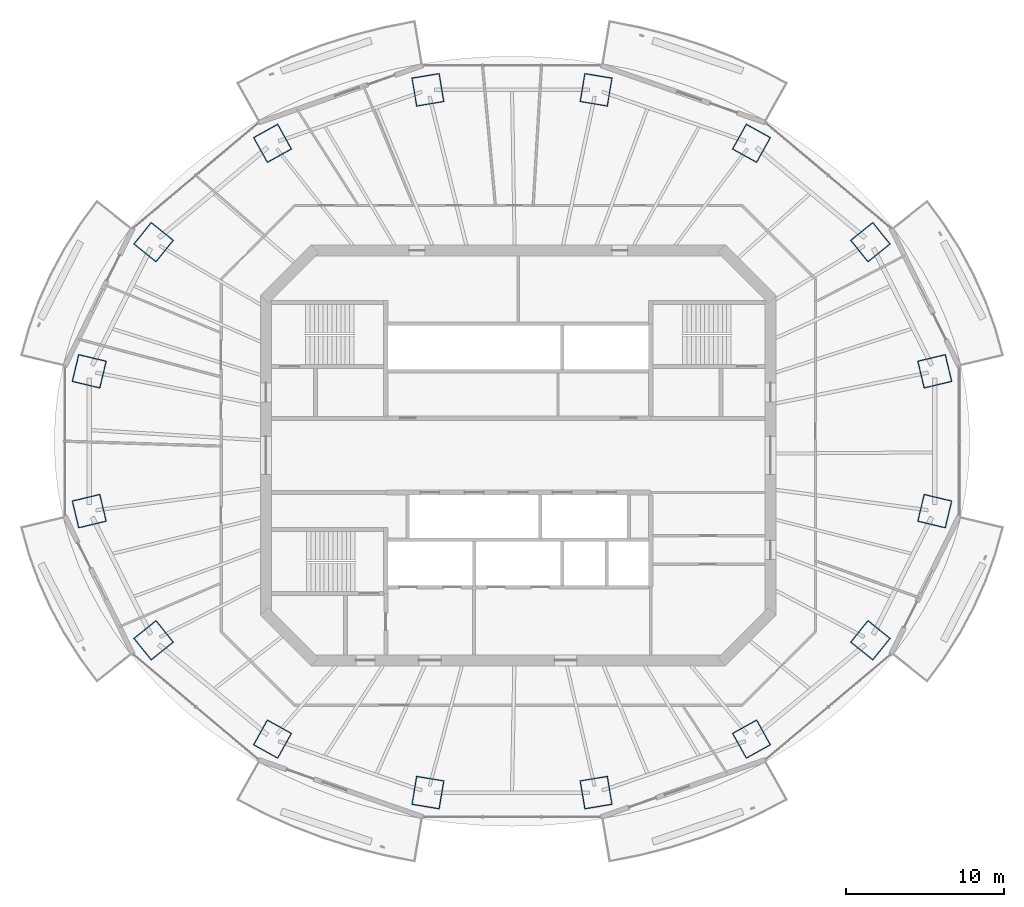
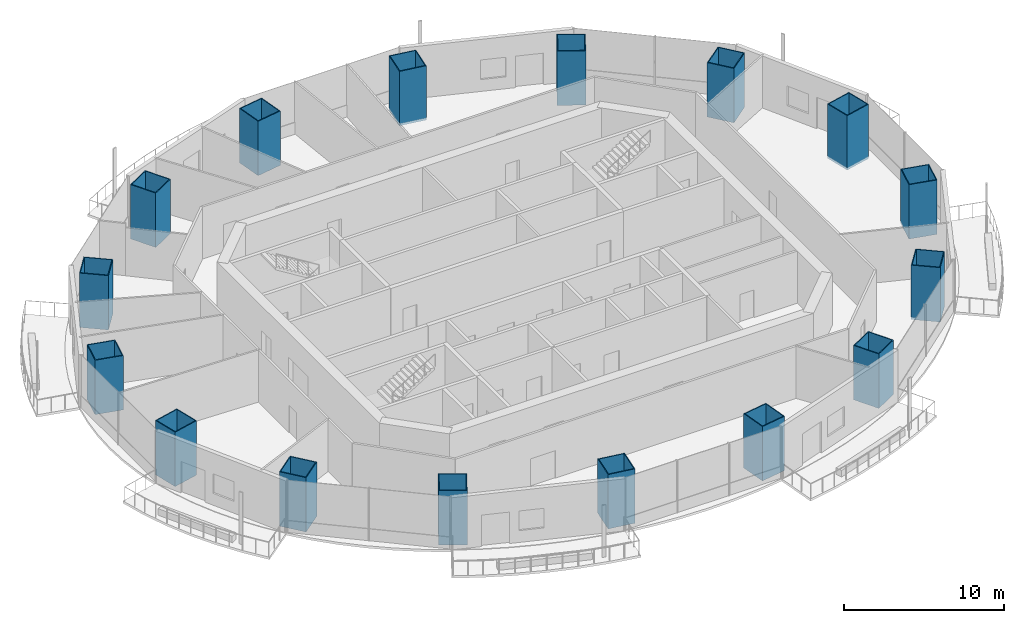
# One storey, part 1 of 16: 16 columns.
"""IFC4 building model written with IfcOpenShell, lengths in metres."""

from ifc_helpers import new_model, si_unit, direction, frame, origin, origin_2d, place, context, subcontext, project, spatial, rectangle, hollow_rectangle, extrude, material, material_profile, profile_set, type_object, element, save


model = new_model("IFC4")

# Units and contexts
model_context = context("Model", 3, precision=1e-05, world=origin(), true_north=direction((0.0, 1.0)))
body_context = subcontext(model_context, "Body", "Model", "MODEL_VIEW")
ifc_project = project(units=[si_unit("LENGTHUNIT", "METRE"), si_unit("AREAUNIT", "SQUARE_METRE"), si_unit("VOLUMEUNIT", "CUBIC_METRE"), si_unit("PLANEANGLEUNIT", "RADIAN"), si_unit("MASSUNIT", "GRAM", prefix="KILO")], contexts=[model_context])

# Site, building, storey
site_placement = place(None, origin())
site = spatial("IfcSite", under=ifc_project, at=site_placement, CompositionType="ELEMENT")
building_placement = place(site_placement, origin())
building = spatial("IfcBuilding", under=site, at=building_placement, Name="Marenthal Gate Tower", CompositionType="ELEMENT")
storey_placement = place(building_placement, frame((0.0, 0.0, 284.5)))
storey = spatial("IfcBuildingStorey", under=building, at=storey_placement, Name="L63", CompositionType="ELEMENT", Elevation=284.5)

# Columns
ifc_material_1 = material(Name="Steel S460", Category="steel")
ifc_material_profile_1 = material_profile(ifc_material_1, hollow_rectangle(XDim=1.800048828125, YDim=1.85009765625, WallThickness=0.06005859375, at=origin_2d()), Name="CFT BOX 1850X1800X60")
ifc_material_2 = material(Name="Concrete 70 MPa", Category="concrete")
ifc_material_profile_2 = material_profile(ifc_material_2, rectangle(XDim=1.679931640625, YDim=1.72998046875, at=origin_2d()), Name="CFT BOX 1850X1800X60 INFILL")
ifc_profile_set = profile_set([ifc_material_profile_1, ifc_material_profile_2], Name="Steel S460 shell, Concrete 70 MPa infill")
column_type = type_object("IfcColumnType", Name="CFT BOX 1850X1800X60", PredefinedType="COLUMN", material=ifc_profile_set)
for number, where, z_axis, x_axis, name in (
    (1, (26.41259765625, 5.3330078125, -0.179931640625), (0.0, 0.0, 1.0), (0.23273930643, -0.972539158719, 0.0), "COL-L63-01"),
    (2, (22.330810546875, 13.524169921875, -0.179931640625), (0.0, 0.0, 1.0), (0.626539879793, -0.779389362918, 0.0), "COL-L63-02"),
    (3, (14.7880859375, 19.79345703125, -0.179931640625), (0.0, 0.0, 1.0), (0.874221721285, -0.485526911751, 0.0), "COL-L63-03"),
    (4, (4.933349609375, 23.186279296875, -0.179931640625), (0.0, 0.0, 1.0), (0.986606346878, -0.163119331471, 0.0), "COL-L63-04"),
    (5, (-5.7333984375, 23.186279296875, -0.179931640625), (0.0, 0.0, 1.0), (0.986606346878, 0.163119331471, 0.0), "COL-L63-05"),
    (6, (-15.588134765625, 19.79345703125, -0.179931640625), (0.0, 0.0, 1.0), (0.874221721285, 0.485526911751, 0.0), "COL-L63-06"),
    (7, (-23.130615234375, 13.524169921875, -0.179931640625), (0.0, 0.0, 1.0), (0.626539879793, 0.779389362918, 0.0), "COL-L63-07"),
    (8, (-27.212646484375, 5.3330078125, -0.179931640625), (0.0, 0.0, 1.0), (0.23273930643, 0.972539158719, 0.0), "COL-L63-08"),
    (9, (-27.212646484375, -3.532958984375, -0.179931640625), (0.0, 0.0, 1.0), (-0.23273930643, 0.972539158719, 0.0), "COL-L63-09"),
    (10, (-23.130615234375, -11.72412109375, -0.179931640625), (0.0, 0.0, 1.0), (-0.626539879793, 0.779389362918, 0.0), "COL-L63-10"),
    (11, (-15.588134765625, -17.993408203125, -0.179931640625), (0.0, 0.0, 1.0), (-0.874221721285, 0.485526911751, 0.0), "COL-L63-11"),
    (12, (-5.7333984375, -21.386474609375, -0.179931640625), (0.0, 0.0, 1.0), (-0.986606346878, 0.163119331471, 0.0), "COL-L63-12"),
    (13, (4.933349609375, -21.386474609375, -0.179931640625), (0.0, 0.0, 1.0), (-0.986606346878, -0.163119331471, 0.0), "COL-L63-13"),
    (14, (14.7880859375, -17.993408203125, -0.179931640625), (0.0, 0.0, 1.0), (-0.874221721285, -0.485526911751, 0.0), "COL-L63-14"),
    (15, (22.330810546875, -11.72412109375, -0.179931640625), (0.0, 0.0, 1.0), (-0.626539879793, -0.779389362918, 0.0), "COL-L63-15"),
    (16, (26.41259765625, -3.532958984375, -0.179931640625), (0.0, 0.0, 1.0), (-0.23273930643, -0.972539158719, 0.0), "COL-L63-16"),
):
    element("IfcColumn", number, at=place(storey_placement, frame(where, z_axis=z_axis, x_axis=x_axis)), inside=storey, type_object=column_type, Name=name, PredefinedType="COLUMN", context=body_context, shape_type="SweptSolid", body=[
        extrude(hollow_rectangle(XDim=1.800048828125, YDim=1.85009765625, WallThickness=0.06005859375, at=origin_2d()), origin(), (0.0, 0.0, 1.0), 4.14990234375),
    ])

save(model, "model.ifc")
